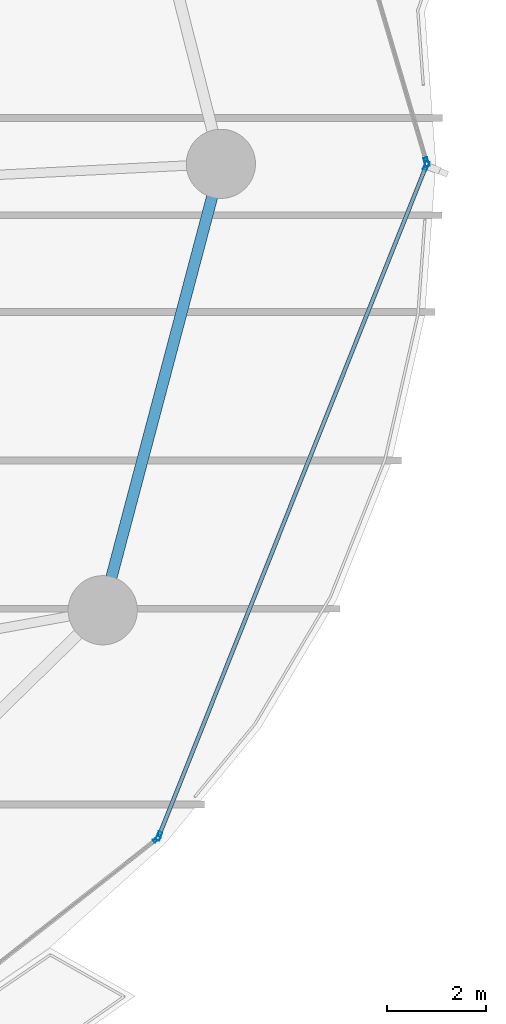
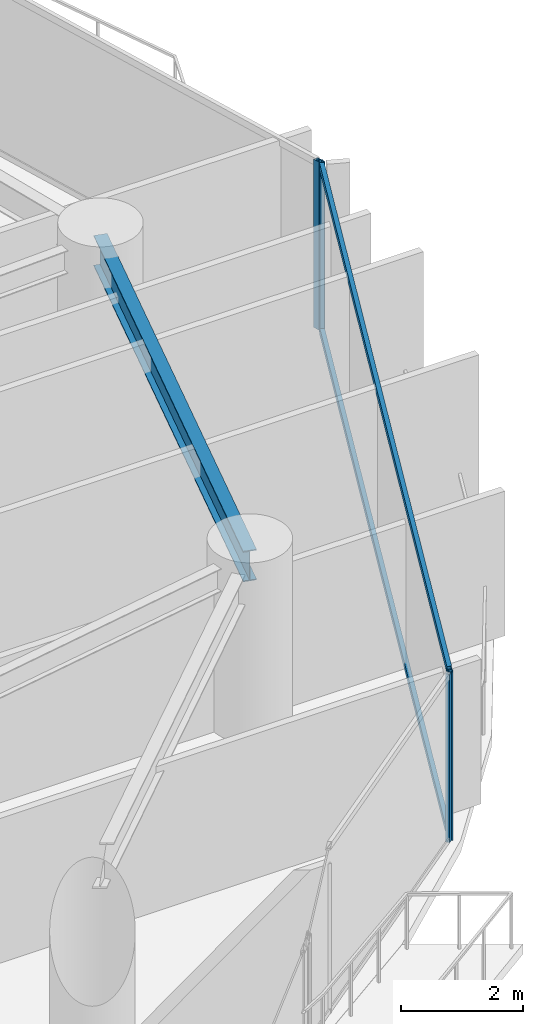
# One storey, part 23 of 33: 6 members, 1 beam, 3 elements without a shape of their own.
"""IFC4 building model written with IfcOpenShell, lengths in metres."""

from ifc_helpers import new_model, si_unit, direction, frame, origin, origin_2d, place, context, subcontext, project, spatial, hollow_rectangle, i_section, extrude, material, layer, layer_set, material_profile, profile_set, type_object, element, aggregate, save


model = new_model("IFC4")

# Units and contexts
model_context = context("Model", 3, precision=1e-05, world=origin(), true_north=direction((0.0, 1.0)))
body_context = subcontext(model_context, "Body", "Model", "MODEL_VIEW")
ifc_project = project(units=[si_unit("LENGTHUNIT", "METRE"), si_unit("AREAUNIT", "SQUARE_METRE"), si_unit("VOLUMEUNIT", "CUBIC_METRE"), si_unit("PLANEANGLEUNIT", "RADIAN"), si_unit("MASSUNIT", "GRAM", prefix="KILO")], contexts=[model_context])

# Site, building, storey
site_placement = place(None, origin())
site = spatial("IfcSite", under=ifc_project, at=site_placement, CompositionType="ELEMENT")
building_placement = place(site_placement, origin())
building = spatial("IfcBuilding", under=site, at=building_placement, Name="Kazevale Care Tower and Concert Hall", CompositionType="ELEMENT")
storey_placement = place(building_placement, frame((0.0, 0.0, 45.60009765625)))
storey = spatial("IfcBuildingStorey", under=building, at=storey_placement, Name="L11", CompositionType="ELEMENT", Elevation=45.60009765625)

# Curtain wall, members
ifc_material_1 = material(Name="Aluminium 6063-T6 and Low-E Glass", Category="aluminium")
ifc_layer_1 = layer(ifc_material_1, 0.179931640625)
ifc_layer_set_1 = layer_set([ifc_layer_1], Name="Aluminium 6063-T6 and Low-E Glass")
curtain_wall_type_1 = type_object("IfcCurtainWallType", Name="Waist & Upper Residential Curtain Wall CW-4", PredefinedType="NOTDEFINED", material=ifc_layer_set_1)
curtain_wall_1_placement = place(storey_placement, origin())
curtain_wall_1 = element("IfcCurtainWall", 1, at=curtain_wall_1_placement, inside=storey, type_object=curtain_wall_type_1, Name="cw:L11:f01", PredefinedType="NOTDEFINED")
ifc_material_2 = material(Name="Aluminium 6063-T6", Category="aluminium")
ifc_material_profile_1 = material_profile(ifc_material_2, hollow_rectangle(XDim=0.080078125, YDim=0.179931640625, WallThickness=0.0048828125, at=origin_2d()), Name="ALU80x180x5")
ifc_profile_set_1 = profile_set([ifc_material_profile_1], Name="Aluminium 6063-T6")
member_type_1 = type_object("IfcMemberType", Name="CW-4 Mullion ALU80x180x5", PredefinedType="MULLION", material=ifc_profile_set_1)
member_1_placement = place(storey_placement, frame((80.605224609375, 37.962890625, 0.0), z_axis=(0.0, 0.0, 1.0), x_axis=(0.928861412274, -0.370427424456, 0.0)))
member_1 = element("IfcMember", 2, at=member_1_placement, type_object=member_type_1, Name="CW-4 mullion 1", PredefinedType="MULLION", context=body_context, shape_type="SweptSolid", body=[
    extrude(hollow_rectangle(XDim=0.080078125, YDim=0.179931640625, WallThickness=0.0048828125, at=origin_2d()), origin(), (0.0, 0.0, 1.0), 3.35986328125),
])
member_2_placement = place(storey_placement, frame((75.19677734375, 24.401123046875, 0.0), z_axis=(0.0, 0.0, 1.0), x_axis=(0.928861412274, -0.370427424456, 0.0)))
member_2 = element("IfcMember", 3, at=member_2_placement, type_object=member_type_1, Name="CW-4 mullion 2", PredefinedType="MULLION", context=body_context, shape_type="SweptSolid", body=[
    extrude(hollow_rectangle(XDim=0.080078125, YDim=0.179931640625, WallThickness=0.0048828125, at=origin_2d()), origin(), (0.0, 0.0, 1.0), 3.35986328125),
])

# Curtain wall, member
curtain_wall_2_placement = place(storey_placement, origin())
curtain_wall_2 = element("IfcCurtainWall", 4, at=curtain_wall_2_placement, inside=storey, type_object=curtain_wall_type_1, Name="cw:L11:f18", PredefinedType="NOTDEFINED")
member_3_placement = place(storey_placement, frame((80.608642578125, 38.038330078125, 0.0), z_axis=(0.0, 0.0, 1.0), x_axis=(0.959173119586, 0.282819600918, 0.0)))
member_3 = element("IfcMember", 5, at=member_3_placement, type_object=member_type_1, Name="CW-4 mullion 2", PredefinedType="MULLION", context=body_context, shape_type="SweptSolid", body=[
    extrude(hollow_rectangle(XDim=0.080078125, YDim=0.179931640625, WallThickness=0.0048828125, at=origin_2d()), origin(), (0.0, 0.0, 1.0), 3.35986328125),
])
aggregate(curtain_wall_2, [member_3])

# Member
ifc_material_profile_2 = material_profile(ifc_material_2, hollow_rectangle(XDim=0.080078125, YDim=0.139892578125, WallThickness=0.00390625, at=origin_2d()), Name="ALU80x140x4")
ifc_profile_set_2 = profile_set([ifc_material_profile_2], Name="Aluminium 6063-T6")
member_type_2 = type_object("IfcMemberType", Name="CW-4 Transom ALU80x140x4", PredefinedType="USERDEFINED", material=ifc_profile_set_2)
member_4_placement = place(storey_placement, frame((80.59033203125, 37.92578125, 0.039794921875), z_axis=(-0.370419345682, -0.928864634026, 0.0), x_axis=(0.928864634026, -0.370419345682, 0.0)))
member_4 = element("IfcMember", 6, at=member_4_placement, type_object=member_type_2, Name="CW-4 transom 1.1", ObjectType="TRANSOM", PredefinedType="USERDEFINED", context=body_context, shape_type="SweptSolid", body=[
    extrude(hollow_rectangle(XDim=0.080078125, YDim=0.139892578125, WallThickness=0.00390625, at=origin_2d()), origin(), (0.0, 0.0, 1.0), 14.5205078125),
])

member_5_placement = place(storey_placement, frame((80.59033203125, 37.92578125, 3.31982421875), z_axis=(-0.370419345682, -0.928864634026, 0.0), x_axis=(0.928864634026, -0.370419345682, 0.0)))
member_5 = element("IfcMember", 7, at=member_5_placement, type_object=member_type_2, Name="CW-4 transom 1.2", ObjectType="TRANSOM", PredefinedType="USERDEFINED", context=body_context, shape_type="SweptSolid", body=[
    extrude(hollow_rectangle(XDim=0.080078125, YDim=0.139892578125, WallThickness=0.00390625, at=origin_2d()), origin(), (0.0, 0.0, 1.0), 14.5205078125),
])

aggregate(curtain_wall_1, [member_1, member_2, member_4, member_5])

# Curtain wall, member
ifc_layer_2 = layer(ifc_material_1, 0.179931640625)
ifc_layer_set_2 = layer_set([ifc_layer_2], Name="Aluminium 6063-T6 and Low-E Glass")
curtain_wall_type_2 = type_object("IfcCurtainWallType", Name="Sheltered Concave Balcony Curtain Wall CW-5", PredefinedType="NOTDEFINED", material=ifc_layer_set_2)
curtain_wall_3_placement = place(storey_placement, origin())
curtain_wall_3 = element("IfcCurtainWall", 8, at=curtain_wall_3_placement, inside=storey, type_object=curtain_wall_type_2, Name="cw:L11:f02", PredefinedType="NOTDEFINED")
ifc_material_profile_3 = material_profile(ifc_material_2, hollow_rectangle(XDim=0.074951171875, YDim=0.14990234375, WallThickness=0.00390625, at=origin_2d()), Name="ALU75x150x4")
ifc_profile_set_3 = profile_set([ifc_material_profile_3], Name="Aluminium 6063-T6")
member_type_3 = type_object("IfcMemberType", Name="CW-5 Mullion ALU75x150x4", PredefinedType="MULLION", material=ifc_profile_set_3)
member_6_placement = place(storey_placement, frame((75.152587890625, 24.3408203125, 0.0), z_axis=(0.0, 0.0, 1.0), x_axis=(0.617807548814, -0.78632934107, 0.0)))
member_6 = element("IfcMember", 9, at=member_6_placement, type_object=member_type_3, Name="CW-5 mullion 1", PredefinedType="MULLION", context=body_context, shape_type="SweptSolid", body=[
    extrude(hollow_rectangle(XDim=0.074951171875, YDim=0.14990234375, WallThickness=0.00390625, at=origin_2d()), origin(), (0.0, 0.0, 1.0), 3.35986328125),
])
aggregate(curtain_wall_3, [member_6])

# Beam
ifc_material_3 = material(Name="Steel ASTM A572 Gr 50", Category="steel")
ifc_material_profile_4 = material_profile(ifc_material_3, i_section(OverallWidth=0.22900390625, OverallDepth=0.612060546875, WebThickness=0.011962890625, FlangeThickness=0.01953125, at=origin_2d()), Name="W610x125")
ifc_profile_set_4 = profile_set([ifc_material_profile_4], Name="Steel ASTM A572 Gr 50")
beam_type = type_object("IfcBeamType", Name="Ring Spandrel Beam W610x125", PredefinedType="SPANDREL", material=ifc_profile_set_4)
beam_placement = place(storey_placement, frame((74.06005859375, 28.969970703125, 3.053955078125), z_axis=(0.255851611973, 0.966716066201, 0.0), x_axis=(-0.966716066201, 0.255851611973, 0.0)))
element("IfcBeam", 10, at=beam_placement, inside=storey, type_object=beam_type, Name="beam:L11:ring:16", PredefinedType="SPANDREL", context=body_context, shape_type="SweptSolid", body=[
    extrude(i_section(OverallWidth=0.22900390625, OverallDepth=0.612060546875, WebThickness=0.011962890625, FlangeThickness=0.01953125, at=origin_2d()), origin(), (0.0, 0.0, 1.0), 9.3408203125),
])

save(model, "model.ifc")
